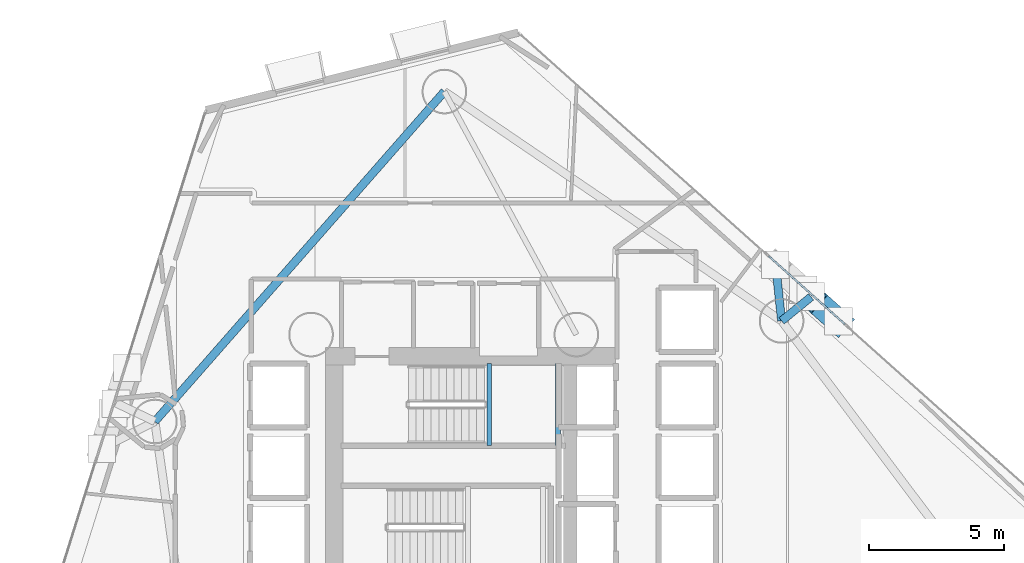
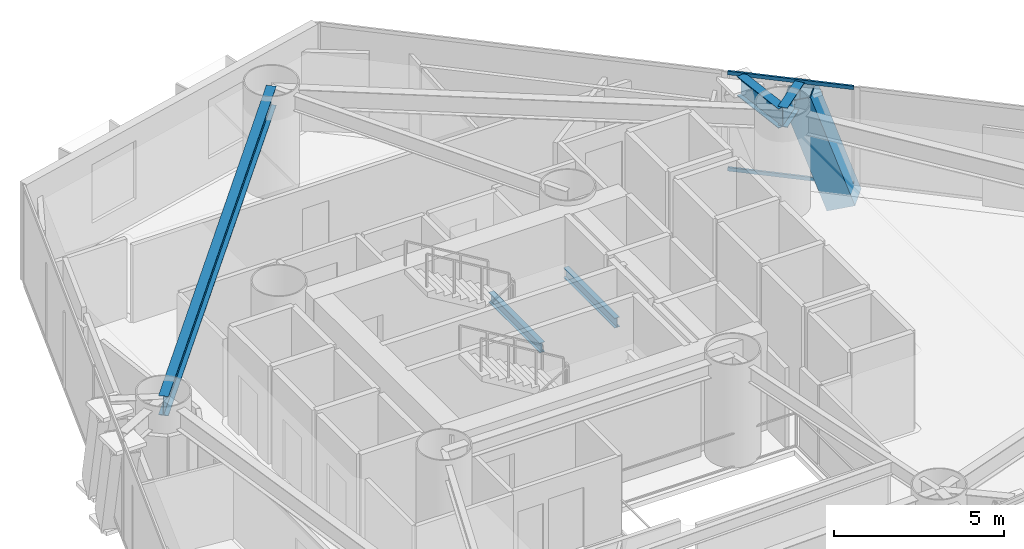
# One storey, part 9 of 24: 5 beams, 3 members, 1 element without a shape of its own.
"""IFC4 building model written with IfcOpenShell, lengths in metres."""

from ifc_helpers import new_model, si_unit, direction, frame, origin, origin_2d, place, context, subcontext, project, spatial, hollow_rectangle, i_section, extrude, material, layer, layer_set, material_profile, profile_set, type_object, element, aggregate, save


model = new_model("IFC4")

# Units and contexts
model_context = context("Model", 3, precision=1e-05, world=origin(), true_north=direction((0.0, 1.0)))
body_context = subcontext(model_context, "Body", "Model", "MODEL_VIEW")
ifc_project = project(units=[si_unit("LENGTHUNIT", "METRE"), si_unit("AREAUNIT", "SQUARE_METRE"), si_unit("VOLUMEUNIT", "CUBIC_METRE"), si_unit("PLANEANGLEUNIT", "RADIAN"), si_unit("MASSUNIT", "GRAM", prefix="KILO")], contexts=[model_context])

# Site, building, storey
site_placement = place(None, origin())
site = spatial("IfcSite", under=ifc_project, at=site_placement, CompositionType="ELEMENT")
building_placement = place(site_placement, origin())
building = spatial("IfcBuilding", under=site, at=building_placement, Name="Qianvela Tower", CompositionType="ELEMENT")
storey_placement = place(building_placement, frame((0.0, 0.0, 71.0)))
storey = spatial("IfcBuildingStorey", under=building, at=storey_placement, Name="L17", CompositionType="ELEMENT", Elevation=71.0)

# Beams
ifc_material_1 = material(Name="Steel Q355B", Category="steel")
ifc_material_profile_1 = material_profile(ifc_material_1, i_section(OverallWidth=0.175048828125, OverallDepth=0.35009765625, WebThickness=0.007080078125, FlangeThickness=0.010986328125, at=origin_2d()), Name="HN350x175x7x11")
ifc_profile_set_1 = profile_set([ifc_material_profile_1], Name="Steel Q355B")
beam_type_1 = type_object("IfcBeamType", Name="BM-HN350-JOIST", PredefinedType="JOIST", material=ifc_profile_set_1)
for number, where, z_axis, x_axis, name in (
    (1, (35.179931640625, 29.4599609375, 1.47509765625), (0.0, 1.0, 0.0), (-1.0, 0.0, 0.0), "L17 Stair ST-1 Landing Support Beam 1.1"),
    (2, (37.719970703125, 29.4599609375, 1.47509765625), (0.0, 1.0, 0.0), (-1.0, 0.0, 0.0), "L17 Stair ST-1 Landing Support Beam 1.2"),
):
    element("IfcBeam", number, at=place(storey_placement, frame(where, z_axis=z_axis, x_axis=x_axis)), inside=storey, type_object=beam_type_1, Name=name, PredefinedType="JOIST", context=body_context, shape_type="SweptSolid", body=[
        extrude(i_section(OverallWidth=0.175048828125, OverallDepth=0.35009765625, WebThickness=0.007080078125, FlangeThickness=0.010986328125, at=origin_2d()), origin(), (0.0, 0.0, 1.0), 3.02001953125),
    ])
ifc_material_2 = material(Name="Steel Q355B", Category="steel")
ifc_material_profile_2 = material_profile(ifc_material_2, i_section(OverallWidth=0.300048828125, OverallDepth=0.699951171875, WebThickness=0.012939453125, FlangeThickness=0.02392578125, at=origin_2d()), Name="HN700x300x13x24")
ifc_profile_set_2 = profile_set([ifc_material_profile_2], Name="Steel Q355B")
beam_type_2 = type_object("IfcBeamType", Name="BM-HN700-SPAND", PredefinedType="SPANDREL", material=ifc_profile_set_2)
beam_1_placement = place(storey_placement, frame((45.98388671875, 34.056884765625, 3.16796875), z_axis=(0.775102525096, 0.631835481427, 0.0), x_axis=(-0.631835481427, 0.775102525096, 0.0)))
element("IfcBeam", 3, at=beam_1_placement, inside=storey, type_object=beam_type_2, Name="L17 Mega-Brace Column Tie Bracket F1-1", PredefinedType="SPANDREL", context=body_context, shape_type="SweptSolid", body=[
    extrude(i_section(OverallWidth=0.300048828125, OverallDepth=0.699951171875, WebThickness=0.012939453125, FlangeThickness=0.02392578125, at=origin_2d()), origin(), (0.0, 0.0, 1.0), 1.404052734375),
])
beam_2_placement = place(storey_placement, frame((45.98388671875, 34.056884765625, 3.16796875), z_axis=(-0.105711506438, 0.994396841008, 0.0), x_axis=(-0.994396841008, -0.105711506438, 0.0)))
element("IfcBeam", 4, at=beam_2_placement, inside=storey, type_object=beam_type_2, Name="L17 Mega-Brace Column Tie Bracket F1-2", PredefinedType="SPANDREL", context=body_context, shape_type="SweptSolid", body=[
    extrude(i_section(OverallWidth=0.300048828125, OverallDepth=0.699951171875, WebThickness=0.012939453125, FlangeThickness=0.02392578125, at=origin_2d()), origin(), (0.0, 0.0, 1.0), 2.06689453125),
])
beam_3_placement = place(storey_placement, frame((33.52587890625, 42.529052734375, 3.16796875), z_axis=(-0.659601693124, -0.751615331422, 0.0), x_axis=(0.751615331422, -0.659601693124, 0.0)))
element("IfcBeam", 5, at=beam_3_placement, inside=storey, type_object=beam_type_2, Name="L17 Perimeter Ring Spandrel Girder 3", PredefinedType="SPANDREL", context=body_context, shape_type="SweptSolid", body=[
    extrude(i_section(OverallWidth=0.300048828125, OverallDepth=0.699951171875, WebThickness=0.012939453125, FlangeThickness=0.02392578125, at=origin_2d()), origin(), (0.0, 0.0, 1.0), 16.217041015625),
])

# Curtain wall, members
ifc_material_3 = material(Name="Anodised Architectural Aluminium and Insulated Spandrel Panel", Category="aluminium")
ifc_layer = layer(ifc_material_3, 0.179931640625)
ifc_layer_set = layer_set([ifc_layer], Name="Anodised Architectural Aluminium and Insulated Spandrel Panel")
curtain_wall_type = type_object("IfcCurtainWallType", Name="CW-BRACEBAY", PredefinedType="USERDEFINED", material=ifc_layer_set)
curtain_wall_placement = place(storey_placement, origin())
curtain_wall = element("IfcCurtainWall", 6, at=curtain_wall_placement, inside=storey, type_object=curtain_wall_type, Name="L17 CW-BRACEBAY Curtain Wall 02B", ObjectType="CURTAIN_WALL_SYSTEM", PredefinedType="USERDEFINED")
ifc_material_4 = material(Name="Anodised Architectural Aluminium 6063-T6", Category="aluminium")
ifc_material_profile_3 = material_profile(ifc_material_4, hollow_rectangle(XDim=0.06494140625, YDim=0.1298828125, WallThickness=0.00439453125, at=origin_2d()), Name="ALU-TRAN-65x130")
ifc_profile_set_3 = profile_set([ifc_material_profile_3], Name="Anodised Architectural Aluminium 6063-T6")
member_type_1 = type_object("IfcMemberType", Name="CW-BRACEBAY-TRAN", PredefinedType="USERDEFINED", material=ifc_profile_set_3)
member_1_placement = place(storey_placement, frame((48.328125, 33.9287109375, 0.032470703125), z_axis=(-0.745557095095, 0.666441758861, 0.0), x_axis=(-0.666441758861, -0.745557095095, 0.0)))
member_1 = element("IfcMember", 7, at=member_1_placement, type_object=member_type_1, Name="CW-9 transom 1.1", ObjectType="TRANSOM", PredefinedType="USERDEFINED", context=body_context, shape_type="SweptSolid", body=[
    extrude(hollow_rectangle(XDim=0.06494140625, YDim=0.1298828125, WallThickness=0.00439453125, at=origin_2d()), origin(), (0.0, 0.0, 1.0), 3.7802734375),
])
member_2_placement = place(storey_placement, frame((48.328125, 33.9287109375, 3.487548828125), z_axis=(-0.745557095095, 0.666441758861, 0.0), x_axis=(-0.666441758861, -0.745557095095, 0.0)))
member_2 = element("IfcMember", 8, at=member_2_placement, type_object=member_type_1, Name="CW-9 transom 1.2", ObjectType="TRANSOM", PredefinedType="USERDEFINED", context=body_context, shape_type="SweptSolid", body=[
    extrude(hollow_rectangle(XDim=0.06494140625, YDim=0.1298828125, WallThickness=0.00439453125, at=origin_2d()), origin(), (0.0, 0.0, 1.0), 3.7802734375),
])
aggregate(curtain_wall, [member_1, member_2])

# Member
ifc_material_5 = material(Name="Steel Q420GJC", Category="steel")
ifc_material_profile_4 = material_profile(ifc_material_5, hollow_rectangle(XDim=0.89990234375, YDim=0.89990234375, WallThickness=0.035888671875, at=origin_2d()), Name="MBOX-900x900x36")
ifc_profile_set_4 = profile_set([ifc_material_profile_4], Name="Steel Q420GJC")
member_type_2 = type_object("IfcMemberType", Name="MBR-MBRACE-900", PredefinedType="BRACE", material=ifc_profile_set_4)
member_3_placement = place(storey_placement, frame((48.068359375, 34.0537109375, -0.531982421875), z_axis=(-0.253215464416, 0.226342352629, 0.940558912555), x_axis=(-0.666436901849, -0.745561436673, 0.0)))
element("IfcMember", 9, at=member_3_placement, inside=storey, type_object=member_type_2, Name="L17 Tier 3 Exterior Mega-Brace F1A", PredefinedType="BRACE", context=body_context, shape_type="SweptSolid", body=[
    extrude(hollow_rectangle(XDim=0.89990234375, YDim=0.89990234375, WallThickness=0.035888671875, at=origin_2d()), origin(), (0.0, 0.0, 1.0), 3.933837890625),
])

save(model, "model.ifc")
